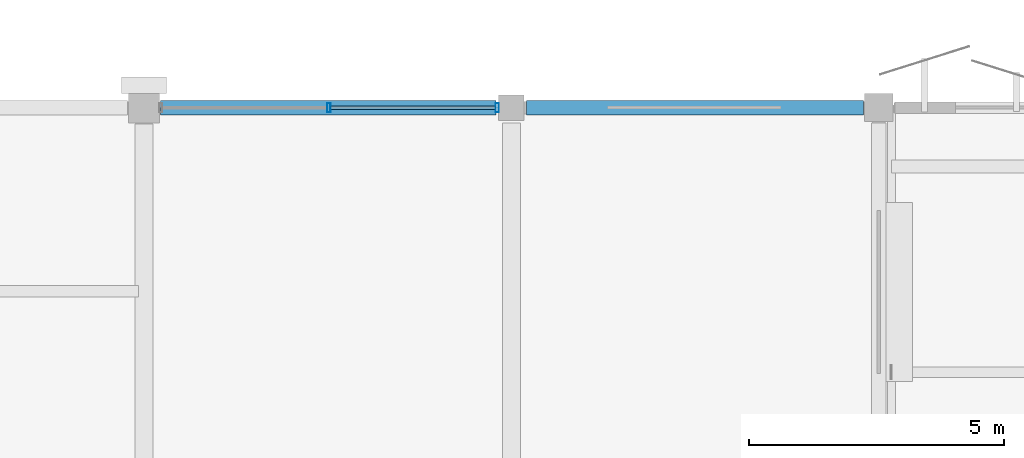
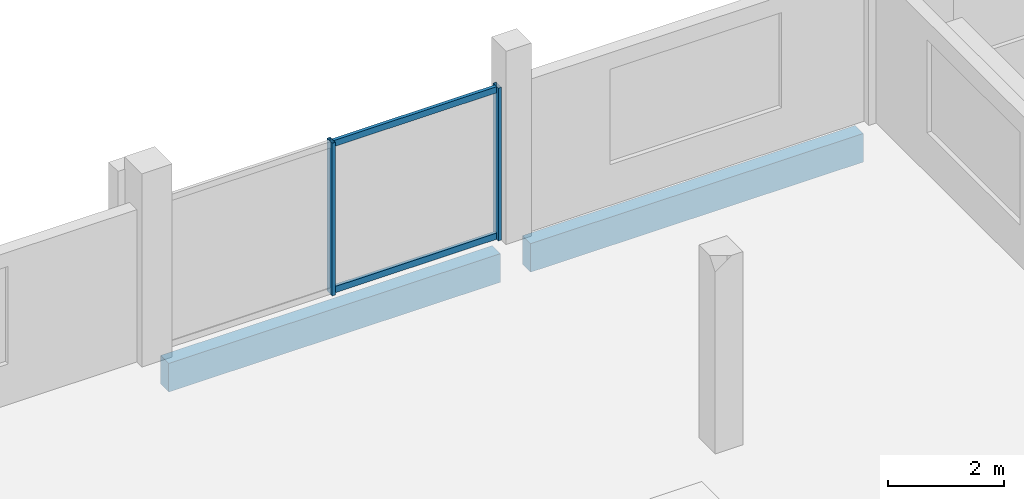
# One storey, part 27 of 108: 4 members, 2 beams, 1 element without a shape of its own.
"""IFC4 building model written with IfcOpenShell, lengths in metres."""

import ifcopenshell
import ifcopenshell.guid

model = None  # the IFC model being written
_history = None  # IfcOwnerHistory: only IFC2X3 demands one
_inside = {}  # id of a spatial element -> (the spatial element, [elements in it])
_under = {}  # id of a project, library or spatial element -> (it, [spatial elements below it])
_declared = {}  # id of a project -> (the project, [libraries it declares])
_typed = {}  # id of a type object -> (the type object, [elements of that type])
_made_of = {}  # id of a material, layer set ... -> (it, [elements and type objects made of it])


def new_model(schema):
    """Start an empty IFC model of exactly this schema.

    Asked for "IFC4X3", IfcOpenShell would pick the latest addendum, in which some entities
    have other attributes; the version numbers below select the first issue.
    IFC2X3 requires an IfcOwnerHistory on every rooted entity: one is made here for all.
    """
    global model, _history
    if schema == "IFC4X3":
        model = ifcopenshell.file(schema_version=(4, 3, 0, 0))
    else:
        model = ifcopenshell.file(schema=schema)
    _inside.clear()
    _under.clear()
    _declared.clear()
    _typed.clear()
    _made_of.clear()
    _history = None
    if model.schema == "IFC2X3":
        org = make("IfcOrganization", Name="unknown")
        user = make(
            "IfcPersonAndOrganization",
            ThePerson=make("IfcPerson", FamilyName="unknown"),
            TheOrganization=org,
        )
        app = make(
            "IfcApplication",
            ApplicationDeveloper=org,
            Version="unknown",
            ApplicationFullName="unknown",
            ApplicationIdentifier="unknown",
        )
        _history = make(
            "IfcOwnerHistory",
            OwningUser=user,
            OwningApplication=app,
            ChangeAction="ADDED",
            CreationDate=0,
        )
    return model


def make(cls, **values):
    """One entity of the class cls with the attributes given. An attribute that is None is left unset."""
    return model.create_entity(
        cls, **{name: value for name, value in values.items() if value is not None}
    )


def rooted(cls, **values):
    """An entity with a GlobalId (a new one), such as an element, a storey or a relation."""
    return make(cls, GlobalId=ifcopenshell.guid.new(), OwnerHistory=_history, **values)


def si_unit(unit_type, name, prefix=None):
    """IfcSIUnit, for example si_unit("LENGTHUNIT", "METRE", prefix="MILLI")."""
    return make("IfcSIUnit", UnitType=unit_type, Prefix=prefix, Name=name)


def assignment(units):
    """IfcUnitAssignment: the units of a project."""
    return None if units is None else make("IfcUnitAssignment", Units=units)


def point(xyz):
    """IfcCartesianPoint."""
    return None if xyz is None else make("IfcCartesianPoint", Coordinates=xyz)


def direction(xyz):
    """IfcDirection."""
    return None if xyz is None else make("IfcDirection", DirectionRatios=xyz)


def frame(location, z_axis=None, x_axis=None):
    """IfcAxis2Placement3D, a coordinate frame: its origin and axes. An axis left out is left unset."""
    return make(
        "IfcAxis2Placement3D",
        Location=point(location),
        Axis=direction(z_axis),
        RefDirection=direction(x_axis),
    )


def frame_2d(location, x_axis=None):
    """IfcAxis2Placement2D, a coordinate frame in the plane: its origin and x axis."""
    return make(
        "IfcAxis2Placement2D", Location=point(location), RefDirection=direction(x_axis)
    )


def origin():
    """The frame at (0, 0, 0) with its axes left unset."""
    return frame((0.0, 0.0, 0.0))


def origin_2d():
    """The frame at (0, 0) in the plane with its x axis left unset."""
    return frame_2d((0.0, 0.0))


def place(relative_to, where):
    """IfcLocalPlacement: puts the frame where relative to a parent placement (None: the world)."""
    return make(
        "IfcLocalPlacement", PlacementRelTo=relative_to, RelativePlacement=where
    )


def context(
    kind, dimensions, precision=None, world=None, true_north=None, identifier=None
):
    """IfcGeometricRepresentationContext, for example the 3D "Model" context."""
    return make(
        "IfcGeometricRepresentationContext",
        ContextIdentifier=identifier,
        ContextType=kind,
        CoordinateSpaceDimension=dimensions,
        Precision=precision,
        WorldCoordinateSystem=world,
        TrueNorth=true_north,
    )


def subcontext(parent, identifier, kind, view, scale=None):
    """IfcGeometricRepresentationSubContext, for example "Body" below "Model"."""
    return make(
        "IfcGeometricRepresentationSubContext",
        ContextIdentifier=identifier,
        ContextType=kind,
        ParentContext=parent,
        TargetScale=scale,
        TargetView=view,
    )


def project(units=None, contexts=None):
    """IfcProject with its units and contexts."""
    return rooted(
        "IfcProject",
        Name="project",
        RepresentationContexts=contexts,
        UnitsInContext=assignment(units),
    )


def spatial(cls, under=None, at=None, **own):
    """A site, building, storey or space (cls), placed at a placement, below another one or the project."""
    s = rooted(cls, ObjectPlacement=at, **own)
    if under is not None:
        _under.setdefault(under.id(), (under, []))[1].append(s)
    return s


def profile(cls, at=None, kind="AREA", **sizes):
    """A parametric profile (cls). Its sizes go by their IFC names, for example OverallWidth=200.0."""
    return make(cls, ProfileType=kind, Position=at, **sizes)


def rectangle(**sizes):
    """IfcRectangleProfileDef."""
    return profile("IfcRectangleProfileDef", **sizes)


def hollow_rectangle(**sizes):
    """IfcRectangleHollowProfileDef."""
    return profile("IfcRectangleHollowProfileDef", **sizes)


def extrude(swept, where, along, depth):
    """IfcExtrudedAreaSolid: the profile swept, set in the frame where, extruded along a direction by depth."""
    return make(
        "IfcExtrudedAreaSolid",
        SweptArea=swept,
        Position=where,
        ExtrudedDirection=direction(along),
        Depth=depth,
    )


def shape(context_of_items, identifier, shape_type, items):
    """IfcShapeRepresentation: the items that make up one representation, for example the "Body"."""
    return make(
        "IfcShapeRepresentation",
        ContextOfItems=context_of_items,
        RepresentationIdentifier=identifier,
        RepresentationType=shape_type,
        Items=items,
    )


def material(Name=None, Category=None):
    """IfcMaterial."""
    return make("IfcMaterial", Name=Name, Category=Category)


def layer(
    of_material, thickness, ventilated=None, Name=None, Category=None, Priority=None
):
    """IfcMaterialLayer: one layer of a wall or slab, of a material (None: an air gap)."""
    return make(
        "IfcMaterialLayer",
        Material=of_material,
        LayerThickness=thickness,
        IsVentilated=ventilated,
        Name=Name,
        Category=Category,
        Priority=Priority,
    )


def layer_set(layers, Name=None):
    """IfcMaterialLayerSet."""
    return make("IfcMaterialLayerSet", MaterialLayers=layers, LayerSetName=Name)


def material_profile(
    of_material, cross_section, Name=None, Category=None, Priority=None
):
    """IfcMaterialProfile: a cross section and its material."""
    return make(
        "IfcMaterialProfile",
        Name=Name,
        Material=of_material,
        Profile=cross_section,
        Priority=Priority,
        Category=Category,
    )


def profile_set(profiles, Name=None, composite=None):
    """IfcMaterialProfileSet."""
    return make(
        "IfcMaterialProfileSet",
        Name=Name,
        MaterialProfiles=profiles,
        CompositeProfile=composite,
    )


def made_of(thing, what):
    """Note that an element or type object is made of a material, layer set ...; save() writes the relation."""
    if what is not None:
        _made_of.setdefault(what.id(), (what, []))[1].append(thing)
    return thing


def type_object(cls, material=None, **own):
    """A type object (cls), such as IfcWallType, which elements share."""
    return made_of(rooted(cls, **own), material)


def element(
    cls,
    number,
    at=None,
    inside=None,
    cuts=None,
    type_object=None,
    material=None,
    context=None,
    identifier="Body",
    shape_type=None,
    held_by="IfcProductDefinitionShape",
    body=None,
    shapes=None,
    **own,
):
    """One element of the class cls, such as IfcWall. Its Tag is "e" and its number.

    at: its placement. inside: the storey or other place that contains it. cuts: it is an
    opening in that element (IfcRelVoidsElement). A single representation is given by context,
    identifier, shape_type and body (its items); several are given by shapes. held_by: the class
    of the entity that holds the representations. save() writes the other relations.
    """
    e = rooted(cls, Tag="e%d" % number, ObjectPlacement=at, **own)
    if body is not None:
        shapes = [shape(context, identifier, shape_type, body)]
    if shapes is not None:
        e.Representation = make(held_by, Representations=shapes)
    if inside is not None:
        _inside.setdefault(inside.id(), (inside, []))[1].append(e)
    if cuts is not None:
        rooted(
            "IfcRelVoidsElement", RelatingBuildingElement=cuts, RelatedOpeningElement=e
        )
    if type_object is not None:
        _typed.setdefault(type_object.id(), (type_object, []))[1].append(e)
    return made_of(e, material)


def aggregate(whole, parts):
    """IfcRelAggregates: a whole, such as a stair, and the parts it consists of."""
    return rooted("IfcRelAggregates", RelatingObject=whole, RelatedObjects=parts)


def save(model, path):
    """Write the relations noted so far, then the file.

    IfcRelAggregates (storeys below a building ...), IfcRelContainedInSpatialStructure (elements
    in a storey), IfcRelDefinesByType, IfcRelAssociatesMaterial and IfcRelDeclares: one each for
    every whole, place, type object, material and project.
    """
    for whole, parts in _under.values():
        aggregate(whole, parts)
    for where, things in _inside.values():
        rooted(
            "IfcRelContainedInSpatialStructure",
            RelatedElements=things,
            RelatingStructure=where,
        )
    for kind, things in _typed.values():
        rooted("IfcRelDefinesByType", RelatedObjects=things, RelatingType=kind)
    for what, things in _made_of.values():
        rooted("IfcRelAssociatesMaterial", RelatedObjects=things, RelatingMaterial=what)
    for by, libraries in _declared.values():
        rooted("IfcRelDeclares", RelatingContext=by, RelatedDefinitions=libraries)
    model.write(path)


model = new_model("IFC4")

# Units and contexts
model_context = context("Model", 3, precision=1e-05, world=origin(), true_north=direction((0.0, 1.0)))
body_context = subcontext(model_context, "Body", "Model", "MODEL_VIEW")
ifc_project = project(units=[si_unit("LENGTHUNIT", "METRE"), si_unit("AREAUNIT", "SQUARE_METRE"), si_unit("VOLUMEUNIT", "CUBIC_METRE"), si_unit("PLANEANGLEUNIT", "RADIAN"), si_unit("MASSUNIT", "GRAM", prefix="KILO")], contexts=[model_context])

# Site, building, storey
site_placement = place(None, origin())
site = spatial("IfcSite", under=ifc_project, at=site_placement, CompositionType="ELEMENT")
building_placement = place(site_placement, origin())
building = spatial("IfcBuilding", under=site, at=building_placement, Name="Kangsadwip Square Police Headquarters", CompositionType="ELEMENT")
storey_placement = place(building_placement, frame((0.0, 0.0, 9.449951171875)))
storey = spatial("IfcBuildingStorey", under=building, at=storey_placement, Name="L02", CompositionType="ELEMENT", Elevation=9.449951171875)

# Curtain wall, members
ifc_material_1 = material(Name="Thermally broken anodised aluminium AW-6063-T6", Category="aluminium")
ifc_layer = layer(ifc_material_1, 0.159912109375)
ifc_layer_set = layer_set([ifc_layer], Name="Thermally broken anodised aluminium AW-6063-T6")
curtain_wall_type = type_object("IfcCurtainWallType", Name="UnitisedCw6660x3200", PredefinedType="NOTDEFINED", material=ifc_layer_set)
curtain_wall_placement = place(storey_placement, origin())
curtain_wall = element("IfcCurtainWall", 1, at=curtain_wall_placement, inside=storey, type_object=curtain_wall_type, Name="Curtain Wall CW-L02-0291-1152", PredefinedType="NOTDEFINED")
ifc_material_2 = material(Name="Thermally broken anodised aluminium AW-6063-T6", Category="aluminium")
ifc_material_profile_1 = material_profile(ifc_material_2, hollow_rectangle(XDim=0.06494140625, YDim=0.179931640625, WallThickness=0.00390625, at=origin_2d()), Name="CWM 180X65X4")
ifc_profile_set_1 = profile_set([ifc_material_profile_1], Name="Thermally broken anodised aluminium AW-6063-T6")
member_type_1 = type_object("IfcMemberType", Name="CwMullion160x65", PredefinedType="MULLION", material=ifc_profile_set_1)
member_1_placement = place(storey_placement, frame((32.425048828125, 115.199951171875, 0.0), z_axis=(0.0, 0.0, 1.0), x_axis=(1.0, 0.0, 0.0)))
member_1 = element("IfcMember", 2, at=member_1_placement, type_object=member_type_1, Name="CW-22 mullion 2", PredefinedType="MULLION", context=body_context, shape_type="SweptSolid", body=[
    extrude(hollow_rectangle(XDim=0.06494140625, YDim=0.179931640625, WallThickness=0.00390625, at=origin_2d()), origin(), (0.0, 0.0, 1.0), 3.199951171875),
])
member_2_placement = place(storey_placement, frame((35.722412109375, 115.199951171875, 0.0), z_axis=(0.0, 0.0, 1.0), x_axis=(1.0, 0.0, 0.0)))
member_2 = element("IfcMember", 3, at=member_2_placement, type_object=member_type_1, Name="CW-22 mullion 3", PredefinedType="MULLION", context=body_context, shape_type="SweptSolid", body=[
    extrude(hollow_rectangle(XDim=0.06494140625, YDim=0.179931640625, WallThickness=0.00390625, at=origin_2d()), origin(), (0.0, 0.0, 1.0), 3.199951171875),
])
ifc_material_3 = material(Name="Thermally broken anodised aluminium AW-6063-T6", Category="aluminium")
ifc_material_profile_2 = material_profile(ifc_material_3, hollow_rectangle(XDim=0.06494140625, YDim=0.1298828125, WallThickness=0.00390625, at=origin_2d()), Name="CWT 130X65X4")
ifc_profile_set_2 = profile_set([ifc_material_profile_2], Name="Thermally broken anodised aluminium AW-6063-T6")
member_type_2 = type_object("IfcMemberType", Name="CwTransom140x60", PredefinedType="USERDEFINED", material=ifc_profile_set_2)
member_3_placement = place(storey_placement, frame((32.45751953125, 115.199951171875, 0.06494140625), z_axis=(1.0, 0.0, 0.0), x_axis=(0.0, 1.0, 0.0)))
member_3 = element("IfcMember", 4, at=member_3_placement, type_object=member_type_2, Name="CW-22 transom 2.1", ObjectType="TRANSOM", PredefinedType="USERDEFINED", context=body_context, shape_type="SweptSolid", body=[
    extrude(hollow_rectangle(XDim=0.06494140625, YDim=0.1298828125, WallThickness=0.00390625, at=origin_2d()), origin(), (0.0, 0.0, 1.0), 3.232421875),
])
member_4_placement = place(storey_placement, frame((32.45751953125, 115.199951171875, 3.135009765625), z_axis=(1.0, 0.0, 0.0), x_axis=(0.0, 1.0, 0.0)))
member_4 = element("IfcMember", 5, at=member_4_placement, type_object=member_type_2, Name="CW-22 transom 2.2", ObjectType="TRANSOM", PredefinedType="USERDEFINED", context=body_context, shape_type="SweptSolid", body=[
    extrude(hollow_rectangle(XDim=0.06494140625, YDim=0.1298828125, WallThickness=0.00390625, at=origin_2d()), origin(), (0.0, 0.0, 1.0), 3.232421875),
])
aggregate(curtain_wall, [member_1, member_2, member_3, member_4])

# Beams
ifc_material_4 = material(Name="Concrete M40 (40 MPa)", Category="concrete")
ifc_material_profile_3 = material_profile(ifc_material_4, rectangle(XDim=0.280029296875, YDim=0.60009765625, at=origin_2d()), Name="RC SPN 600X280")
ifc_profile_set_3 = profile_set([ifc_material_profile_3], Name="Concrete M40 (40 MPa)")
beam_type = type_object("IfcBeamType", Name="RcSpandrel600x280", PredefinedType="SPANDREL", material=ifc_profile_set_3)
beam_1_placement = place(storey_placement, frame((29.125, 115.199951171875, -0.5400390625), z_axis=(1.0, 0.0, 0.0), x_axis=(0.0, 1.0, 0.0)))
element("IfcBeam", 6, at=beam_1_placement, inside=storey, type_object=beam_type, Name="Beam BM-L02-X-04-16", PredefinedType="SPANDREL", context=body_context, shape_type="SweptSolid", body=[
    extrude(rectangle(XDim=0.280029296875, YDim=0.60009765625, at=origin_2d()), origin(), (0.0, 0.0, 1.0), 6.574951171875),
])
beam_2_placement = place(storey_placement, frame((36.300048828125, 115.199951171875, -0.5400390625), z_axis=(1.0, 0.0, 0.0), x_axis=(0.0, 1.0, 0.0)))
element("IfcBeam", 7, at=beam_2_placement, inside=storey, type_object=beam_type, Name="Beam BM-L02-X-05-16", PredefinedType="SPANDREL", context=body_context, shape_type="SweptSolid", body=[
    extrude(rectangle(XDim=0.280029296875, YDim=0.60009765625, at=origin_2d()), origin(), (0.0, 0.0, 1.0), 6.599853515625),
])

save(model, "model.ifc")
